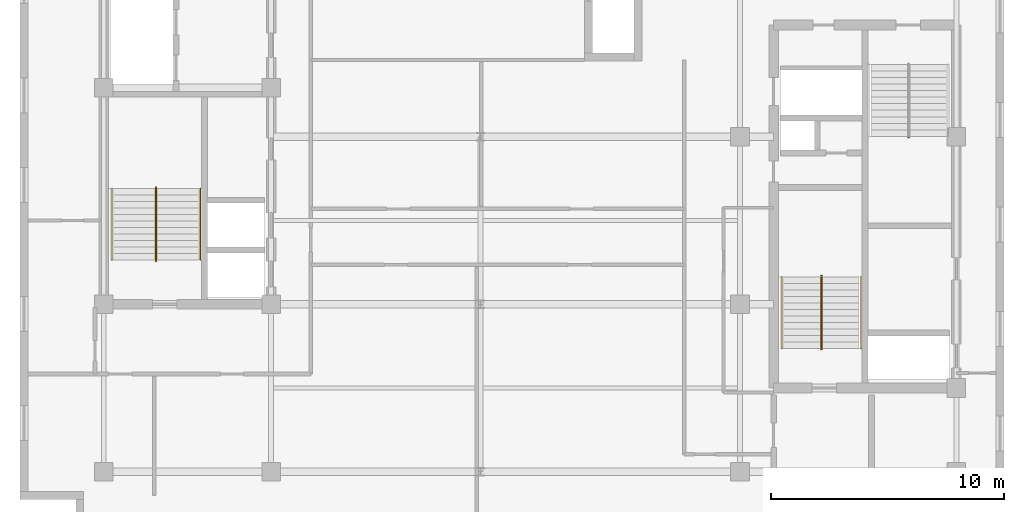
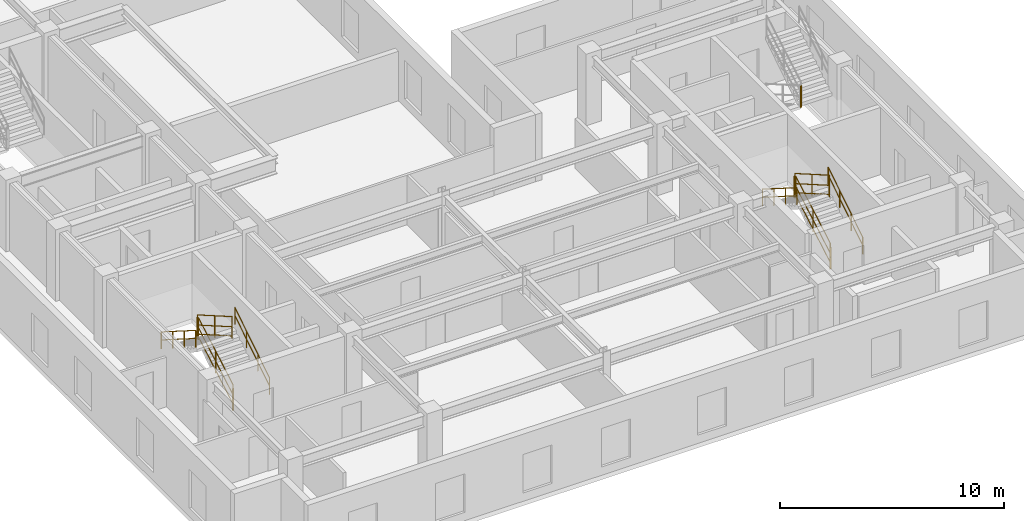
# One storey, part 7 of 9: 13 railings.
"""IFC4 building model written with IfcOpenShell, lengths in metres."""

from ifc_helpers import new_model, entity, si_unit, converted_unit, direction, frame, origin_with_axes, origin_2d_with_axis, place, context, subcontext, project, spatial, rectangle, circle, extrude, material, type_object, element, save


model = new_model("IFC4")

# Units and contexts
model_context = context("Model", 3, precision=1e-05, world=origin_with_axes(), true_north=direction((0.0, 1.0)))
body_context = subcontext(model_context, "Body", "Model", "MODEL_VIEW")
ifc_project = project(units=[si_unit("LENGTHUNIT", "METRE"), si_unit("AREAUNIT", "SQUARE_METRE"), si_unit("VOLUMEUNIT", "CUBIC_METRE"), converted_unit("PLANEANGLEUNIT", "DEGREE", entity("IfcPlaneAngleMeasure", 0.017453292519943295), si_unit("PLANEANGLEUNIT", "RADIAN"), dimensions=[0, 0, 0, 0, 0, 0, 0]), si_unit("MASSUNIT", "GRAM", prefix="KILO"), si_unit("THERMODYNAMICTEMPERATUREUNIT", "KELVIN")], contexts=[model_context])

# Site, building, storey
site_placement = place(None, origin_with_axes())
site = spatial("IfcSite", under=ifc_project, at=site_placement, CompositionType="ELEMENT")
building_placement = place(site_placement, origin_with_axes())
building = spatial("IfcBuilding", under=site, at=building_placement, Name="Varnlund Millrace Tower", CompositionType="ELEMENT")
storey_placement = place(building_placement, frame((0.0, 0.0, 260.7), z_axis=(0.0, 0.0, 1.0), x_axis=(1.0, 0.0, 0.0)))
storey = spatial("IfcBuildingStorey", under=building, at=storey_placement, Name="L64", CompositionType="ELEMENT", Elevation=260.7)

# Railings
ifc_material_1 = material(Name="Painted steel stair well balustrade guard", Category="steel")
railing_type_1 = type_object("IfcRailingType", Name="Type-StairGuard-1150", PredefinedType="GUARDRAIL", material=ifc_material_1)
railing_1_placement = place(storey_placement, frame((0.0, 0.0, -260.7), z_axis=(0.0, 0.0, 1.0), x_axis=(1.0, 0.0, 0.0)))
element("IfcRailing", 1, at=railing_1_placement, inside=storey, type_object=railing_type_1, Name="Type-StairGuard-1150", PredefinedType="GUARDRAIL", context=body_context, shape_type="SweptSolid", body=[
    extrude(circle(Radius=0.024, at=origin_2d_with_axis()), frame((13.675, 12.7, 262.027273), z_axis=(0.0, 0.866696, 0.498836), x_axis=(-1.0, 0.0, 0.0)), (0.0, 0.0, 1.0), 3.553725),
    extrude(circle(Radius=0.024, at=origin_2d_with_axis()), frame((13.675, 12.7, 260.977273), z_axis=(0.0, 0.866696, 0.498836), x_axis=(-1.0, 0.0, 0.0)), (0.0, 0.0, 1.0), 3.553725),
    extrude(circle(Radius=0.024, at=origin_2d_with_axis()), frame((13.675, 12.7, 261.475273), z_axis=(0.0, 0.866696, 0.498836), x_axis=(-1.0, 0.0, 0.0)), (0.0, 0.0, 1.0), 3.553725),
    extrude(rectangle(XDim=0.04, YDim=0.04, at=origin_2d_with_axis()), frame((13.675, 12.7, 260.837273), z_axis=(0.0, 0.0, 1.0), x_axis=(1.0, 0.0, 0.0)), (0.0, 0.0, 1.0), 1.19),
    extrude(rectangle(XDim=0.04, YDim=0.04, at=origin_2d_with_axis()), frame((13.675, 14.24, 261.723636), z_axis=(0.0, 0.0, 1.0), x_axis=(1.0, 0.0, 0.0)), (0.0, 0.0, 1.0), 1.19),
    extrude(rectangle(XDim=0.04, YDim=0.04, at=origin_2d_with_axis()), frame((13.675, 15.78, 262.61), z_axis=(0.0, 0.0, 1.0), x_axis=(1.0, 0.0, 0.0)), (0.0, 0.0, 1.0), 1.19),
])
railing_2_placement = place(storey_placement, frame((0.0, 0.0, -260.7), z_axis=(0.0, 0.0, 1.0), x_axis=(1.0, 0.0, 0.0)))
element("IfcRailing", 2, at=railing_2_placement, inside=storey, type_object=railing_type_1, Name="Type-StairGuard-1150", PredefinedType="GUARDRAIL", context=body_context, shape_type="SweptSolid", body=[
    extrude(circle(Radius=0.024, at=origin_2d_with_axis()), frame((13.625, 15.83, 263.8), z_axis=(1.0, 0.0, 0.0), x_axis=(0.0, 1.0, 0.0)), (0.0, 0.0, 1.0), 0.05),
    extrude(circle(Radius=0.024, at=origin_2d_with_axis()), frame((13.625, 15.83, 262.75), z_axis=(1.0, 0.0, 0.0), x_axis=(0.0, 1.0, 0.0)), (0.0, 0.0, 1.0), 0.05),
    extrude(circle(Radius=0.024, at=origin_2d_with_axis()), frame((13.625, 15.83, 263.248), z_axis=(1.0, 0.0, 0.0), x_axis=(0.0, 1.0, 0.0)), (0.0, 0.0, 1.0), 0.05),
    extrude(rectangle(XDim=0.04, YDim=0.04, at=origin_2d_with_axis()), frame((13.625, 15.83, 262.61), z_axis=(0.0, 0.0, 1.0), x_axis=(1.0, 0.0, 0.0)), (0.0, 0.0, 1.0), 1.19),
    extrude(rectangle(XDim=0.04, YDim=0.04, at=origin_2d_with_axis()), frame((13.675, 15.83, 262.61), z_axis=(0.0, 0.0, 1.0), x_axis=(1.0, 0.0, 0.0)), (0.0, 0.0, 1.0), 1.19),
])
railing_3_placement = place(storey_placement, frame((0.0, 0.0, -260.7), z_axis=(0.0, 0.0, 1.0), x_axis=(1.0, 0.0, 0.0)))
element("IfcRailing", 3, at=railing_3_placement, inside=storey, type_object=railing_type_1, Name="Type-StairGuard-1150", PredefinedType="GUARDRAIL", context=body_context, shape_type="SweptSolid", body=[
    extrude(circle(Radius=0.024, at=origin_2d_with_axis()), frame((13.625, 15.78, 263.977273), z_axis=(0.0, -0.866696, 0.498836), x_axis=(1.0, 0.0, 0.0)), (0.0, 0.0, 1.0), 3.553725),
    extrude(circle(Radius=0.024, at=origin_2d_with_axis()), frame((13.625, 15.78, 262.927273), z_axis=(0.0, -0.866696, 0.498836), x_axis=(1.0, 0.0, 0.0)), (0.0, 0.0, 1.0), 3.553725),
    extrude(circle(Radius=0.024, at=origin_2d_with_axis()), frame((13.625, 15.78, 263.425273), z_axis=(0.0, -0.866696, 0.498836), x_axis=(1.0, 0.0, 0.0)), (0.0, 0.0, 1.0), 3.553725),
    extrude(rectangle(XDim=0.04, YDim=0.04, at=origin_2d_with_axis()), frame((13.625, 15.78, 262.787273), z_axis=(0.0, 0.0, 1.0), x_axis=(1.0, 0.0, 0.0)), (0.0, 0.0, 1.0), 1.19),
    extrude(rectangle(XDim=0.04, YDim=0.04, at=origin_2d_with_axis()), frame((13.625, 14.24, 263.673636), z_axis=(0.0, 0.0, 1.0), x_axis=(1.0, 0.0, 0.0)), (0.0, 0.0, 1.0), 1.19),
    extrude(rectangle(XDim=0.04, YDim=0.04, at=origin_2d_with_axis()), frame((13.625, 12.7, 264.56), z_axis=(0.0, 0.0, 1.0), x_axis=(1.0, 0.0, 0.0)), (0.0, 0.0, 1.0), 1.19),
])
railing_4_placement = place(storey_placement, frame((0.0, 0.0, -260.7), z_axis=(0.0, 0.0, 1.0), x_axis=(1.0, 0.0, 0.0)))
element("IfcRailing", 4, at=railing_4_placement, inside=storey, type_object=railing_type_1, Name="Type-StairGuard-1150", PredefinedType="GUARDRAIL", context=body_context, shape_type="SweptSolid", body=[
    extrude(circle(Radius=0.024, at=origin_2d_with_axis()), frame((13.625, 12.65, 261.85), z_axis=(1.0, 0.0, 0.0), x_axis=(0.0, 1.0, 0.0)), (0.0, 0.0, 1.0), 0.05),
    extrude(circle(Radius=0.024, at=origin_2d_with_axis()), frame((13.625, 12.65, 260.8), z_axis=(1.0, 0.0, 0.0), x_axis=(0.0, 1.0, 0.0)), (0.0, 0.0, 1.0), 0.05),
    extrude(circle(Radius=0.024, at=origin_2d_with_axis()), frame((13.625, 12.65, 261.298), z_axis=(1.0, 0.0, 0.0), x_axis=(0.0, 1.0, 0.0)), (0.0, 0.0, 1.0), 0.05),
    extrude(rectangle(XDim=0.04, YDim=0.04, at=origin_2d_with_axis()), frame((13.625, 12.65, 260.66), z_axis=(0.0, 0.0, 1.0), x_axis=(1.0, 0.0, 0.0)), (0.0, 0.0, 1.0), 1.19),
    extrude(rectangle(XDim=0.04, YDim=0.04, at=origin_2d_with_axis()), frame((13.675, 12.65, 260.66), z_axis=(0.0, 0.0, 1.0), x_axis=(1.0, 0.0, 0.0)), (0.0, 0.0, 1.0), 1.19),
])
railing_5_placement = place(storey_placement, frame((0.0, 0.0, -260.7), z_axis=(0.0, 0.0, 1.0), x_axis=(1.0, 0.0, 0.0)))
element("IfcRailing", 5, at=railing_5_placement, inside=storey, type_object=railing_type_1, Name="Type-StairGuard-1150", PredefinedType="GUARDRAIL", context=body_context, shape_type="SweptSolid", body=[
    extrude(circle(Radius=0.024, at=origin_2d_with_axis()), frame((42.275, 8.9, 262.027273), z_axis=(0.0, 0.866696, 0.498836), x_axis=(-1.0, 0.0, 0.0)), (0.0, 0.0, 1.0), 3.553725),
    extrude(circle(Radius=0.024, at=origin_2d_with_axis()), frame((42.275, 8.9, 260.977273), z_axis=(0.0, 0.866696, 0.498836), x_axis=(-1.0, 0.0, 0.0)), (0.0, 0.0, 1.0), 3.553725),
    extrude(circle(Radius=0.024, at=origin_2d_with_axis()), frame((42.275, 8.9, 261.475273), z_axis=(0.0, 0.866696, 0.498836), x_axis=(-1.0, 0.0, 0.0)), (0.0, 0.0, 1.0), 3.553725),
    extrude(rectangle(XDim=0.04, YDim=0.04, at=origin_2d_with_axis()), frame((42.275, 8.9, 260.837273), z_axis=(0.0, 0.0, 1.0), x_axis=(1.0, 0.0, 0.0)), (0.0, 0.0, 1.0), 1.19),
    extrude(rectangle(XDim=0.04, YDim=0.04, at=origin_2d_with_axis()), frame((42.275, 10.44, 261.723636), z_axis=(0.0, 0.0, 1.0), x_axis=(1.0, 0.0, 0.0)), (0.0, 0.0, 1.0), 1.19),
    extrude(rectangle(XDim=0.04, YDim=0.04, at=origin_2d_with_axis()), frame((42.275, 11.98, 262.61), z_axis=(0.0, 0.0, 1.0), x_axis=(1.0, 0.0, 0.0)), (0.0, 0.0, 1.0), 1.19),
])
railing_6_placement = place(storey_placement, frame((0.0, 0.0, -260.7), z_axis=(0.0, 0.0, 1.0), x_axis=(1.0, 0.0, 0.0)))
element("IfcRailing", 6, at=railing_6_placement, inside=storey, type_object=railing_type_1, Name="Type-StairGuard-1150", PredefinedType="GUARDRAIL", context=body_context, shape_type="SweptSolid", body=[
    extrude(circle(Radius=0.024, at=origin_2d_with_axis()), frame((42.225, 12.03, 263.8), z_axis=(1.0, 0.0, 0.0), x_axis=(0.0, 1.0, 0.0)), (0.0, 0.0, 1.0), 0.05),
    extrude(circle(Radius=0.024, at=origin_2d_with_axis()), frame((42.225, 12.03, 262.75), z_axis=(1.0, 0.0, 0.0), x_axis=(0.0, 1.0, 0.0)), (0.0, 0.0, 1.0), 0.05),
    extrude(circle(Radius=0.024, at=origin_2d_with_axis()), frame((42.225, 12.03, 263.248), z_axis=(1.0, 0.0, 0.0), x_axis=(0.0, 1.0, 0.0)), (0.0, 0.0, 1.0), 0.05),
    extrude(rectangle(XDim=0.04, YDim=0.04, at=origin_2d_with_axis()), frame((42.225, 12.03, 262.61), z_axis=(0.0, 0.0, 1.0), x_axis=(1.0, 0.0, 0.0)), (0.0, 0.0, 1.0), 1.19),
    extrude(rectangle(XDim=0.04, YDim=0.04, at=origin_2d_with_axis()), frame((42.275, 12.03, 262.61), z_axis=(0.0, 0.0, 1.0), x_axis=(1.0, 0.0, 0.0)), (0.0, 0.0, 1.0), 1.19),
])
railing_7_placement = place(storey_placement, frame((0.0, 0.0, -260.7), z_axis=(0.0, 0.0, 1.0), x_axis=(1.0, 0.0, 0.0)))
element("IfcRailing", 7, at=railing_7_placement, inside=storey, type_object=railing_type_1, Name="Type-StairGuard-1150", PredefinedType="GUARDRAIL", context=body_context, shape_type="SweptSolid", body=[
    extrude(circle(Radius=0.024, at=origin_2d_with_axis()), frame((42.225, 11.98, 263.977273), z_axis=(0.0, -0.866696, 0.498836), x_axis=(1.0, 0.0, 0.0)), (0.0, 0.0, 1.0), 3.553725),
    extrude(circle(Radius=0.024, at=origin_2d_with_axis()), frame((42.225, 11.98, 262.927273), z_axis=(0.0, -0.866696, 0.498836), x_axis=(1.0, 0.0, 0.0)), (0.0, 0.0, 1.0), 3.553725),
    extrude(circle(Radius=0.024, at=origin_2d_with_axis()), frame((42.225, 11.98, 263.425273), z_axis=(0.0, -0.866696, 0.498836), x_axis=(1.0, 0.0, 0.0)), (0.0, 0.0, 1.0), 3.553725),
    extrude(rectangle(XDim=0.04, YDim=0.04, at=origin_2d_with_axis()), frame((42.225, 11.98, 262.787273), z_axis=(0.0, 0.0, 1.0), x_axis=(1.0, 0.0, 0.0)), (0.0, 0.0, 1.0), 1.19),
    extrude(rectangle(XDim=0.04, YDim=0.04, at=origin_2d_with_axis()), frame((42.225, 10.44, 263.673636), z_axis=(0.0, 0.0, 1.0), x_axis=(1.0, 0.0, 0.0)), (0.0, 0.0, 1.0), 1.19),
    extrude(rectangle(XDim=0.04, YDim=0.04, at=origin_2d_with_axis()), frame((42.225, 8.9, 264.56), z_axis=(0.0, 0.0, 1.0), x_axis=(1.0, 0.0, 0.0)), (0.0, 0.0, 1.0), 1.19),
])
railing_8_placement = place(storey_placement, frame((0.0, 0.0, -260.7), z_axis=(0.0, 0.0, 1.0), x_axis=(1.0, 0.0, 0.0)))
element("IfcRailing", 8, at=railing_8_placement, inside=storey, type_object=railing_type_1, Name="Type-StairGuard-1150", PredefinedType="GUARDRAIL", context=body_context, shape_type="SweptSolid", body=[
    extrude(circle(Radius=0.024, at=origin_2d_with_axis()), frame((42.225, 8.85, 261.85), z_axis=(1.0, 0.0, 0.0), x_axis=(0.0, 1.0, 0.0)), (0.0, 0.0, 1.0), 0.05),
    extrude(circle(Radius=0.024, at=origin_2d_with_axis()), frame((42.225, 8.85, 260.8), z_axis=(1.0, 0.0, 0.0), x_axis=(0.0, 1.0, 0.0)), (0.0, 0.0, 1.0), 0.05),
    extrude(circle(Radius=0.024, at=origin_2d_with_axis()), frame((42.225, 8.85, 261.298), z_axis=(1.0, 0.0, 0.0), x_axis=(0.0, 1.0, 0.0)), (0.0, 0.0, 1.0), 0.05),
    extrude(rectangle(XDim=0.04, YDim=0.04, at=origin_2d_with_axis()), frame((42.225, 8.85, 260.66), z_axis=(0.0, 0.0, 1.0), x_axis=(1.0, 0.0, 0.0)), (0.0, 0.0, 1.0), 1.19),
    extrude(rectangle(XDim=0.04, YDim=0.04, at=origin_2d_with_axis()), frame((42.275, 8.85, 260.66), z_axis=(0.0, 0.0, 1.0), x_axis=(1.0, 0.0, 0.0)), (0.0, 0.0, 1.0), 1.19),
])
railing_9_placement = place(storey_placement, frame((0.0, 0.0, -260.7), z_axis=(0.0, 0.0, 1.0), x_axis=(1.0, 0.0, 0.0)))
element("IfcRailing", 9, at=railing_9_placement, inside=storey, type_object=railing_type_1, Name="Type-StairGuard-1150", PredefinedType="GUARDRAIL", context=body_context, shape_type="SweptSolid", body=[
    extrude(circle(Radius=0.024, at=origin_2d_with_axis()), frame((46.025, 17.97, 263.8), z_axis=(-1.0, 0.0, 0.0), x_axis=(0.0, -1.0, 0.0)), (0.0, 0.0, 1.0), 0.05),
    extrude(circle(Radius=0.024, at=origin_2d_with_axis()), frame((46.025, 17.97, 262.75), z_axis=(-1.0, 0.0, 0.0), x_axis=(0.0, -1.0, 0.0)), (0.0, 0.0, 1.0), 0.05),
    extrude(circle(Radius=0.024, at=origin_2d_with_axis()), frame((46.025, 17.97, 263.248), z_axis=(-1.0, 0.0, 0.0), x_axis=(0.0, -1.0, 0.0)), (0.0, 0.0, 1.0), 0.05),
    extrude(rectangle(XDim=0.04, YDim=0.04, at=origin_2d_with_axis()), frame((46.025, 17.97, 262.61), z_axis=(0.0, 0.0, 1.0), x_axis=(1.0, 0.0, 0.0)), (0.0, 0.0, 1.0), 1.19),
    extrude(rectangle(XDim=0.04, YDim=0.04, at=origin_2d_with_axis()), frame((45.975, 17.97, 262.61), z_axis=(0.0, 0.0, 1.0), x_axis=(1.0, 0.0, 0.0)), (0.0, 0.0, 1.0), 1.19),
])
ifc_material_2 = material(Name="Brushed architectural bronze stair handrail", Category="aluminium")
railing_type_2 = type_object("IfcRailingType", Name="Type-StairHandrail-900", PredefinedType="HANDRAIL", material=ifc_material_2)
railing_10_placement = place(storey_placement, frame((0.0, 0.0, -260.7), z_axis=(0.0, 0.0, 1.0), x_axis=(1.0, 0.0, 0.0)))
element("IfcRailing", 10, at=railing_10_placement, inside=storey, type_object=railing_type_2, Name="Type-StairHandrail-900", PredefinedType="HANDRAIL", context=body_context, shape_type="SweptSolid", body=[
    extrude(circle(Radius=0.024, at=origin_2d_with_axis()), frame((15.55, 12.7, 261.756995), z_axis=(0.0, 0.844902, 0.534922), x_axis=(-1.0, 0.0, 0.0)), (0.0, 0.0, 1.0), 3.645394),
    extrude(circle(Radius=0.024, at=origin_2d_with_axis()), frame((15.55, 12.7, 261.317134), z_axis=(0.0, 0.844902, 0.534922), x_axis=(-1.0, 0.0, 0.0)), (0.0, 0.0, 1.0), 3.645394),
    extrude(rectangle(XDim=0.04, YDim=0.04, at=origin_2d_with_axis()), frame((15.55, 12.7, 260.837273), z_axis=(0.0, 0.0, 1.0), x_axis=(1.0, 0.0, 0.0)), (0.0, 0.0, 1.0), 0.919722),
    extrude(rectangle(XDim=0.04, YDim=0.04, at=origin_2d_with_axis()), frame((15.55, 13.726667, 261.487273), z_axis=(0.0, 0.0, 1.0), x_axis=(1.0, 0.0, 0.0)), (0.0, 0.0, 1.0), 0.919722),
    extrude(rectangle(XDim=0.04, YDim=0.04, at=origin_2d_with_axis()), frame((15.55, 14.753333, 262.137273), z_axis=(0.0, 0.0, 1.0), x_axis=(1.0, 0.0, 0.0)), (0.0, 0.0, 1.0), 0.919722),
    extrude(rectangle(XDim=0.04, YDim=0.04, at=origin_2d_with_axis()), frame((15.55, 15.78, 262.787273), z_axis=(0.0, 0.0, 1.0), x_axis=(1.0, 0.0, 0.0)), (0.0, 0.0, 1.0), 0.919722),
])
railing_11_placement = place(storey_placement, frame((0.0, 0.0, -260.7), z_axis=(0.0, 0.0, 1.0), x_axis=(1.0, 0.0, 0.0)))
element("IfcRailing", 11, at=railing_11_placement, inside=storey, type_object=railing_type_2, Name="Type-StairHandrail-900", PredefinedType="HANDRAIL", context=body_context, shape_type="SweptSolid", body=[
    extrude(circle(Radius=0.024, at=origin_2d_with_axis()), frame((11.75, 15.78, 263.706995), z_axis=(0.0, -0.844902, 0.534922), x_axis=(1.0, 0.0, 0.0)), (0.0, 0.0, 1.0), 3.645394),
    extrude(circle(Radius=0.024, at=origin_2d_with_axis()), frame((11.75, 15.78, 263.267134), z_axis=(0.0, -0.844902, 0.534922), x_axis=(1.0, 0.0, 0.0)), (0.0, 0.0, 1.0), 3.645394),
    extrude(rectangle(XDim=0.04, YDim=0.04, at=origin_2d_with_axis()), frame((11.75, 15.78, 262.787273), z_axis=(0.0, 0.0, 1.0), x_axis=(1.0, 0.0, 0.0)), (0.0, 0.0, 1.0), 0.919722),
    extrude(rectangle(XDim=0.04, YDim=0.04, at=origin_2d_with_axis()), frame((11.75, 14.753333, 263.437273), z_axis=(0.0, 0.0, 1.0), x_axis=(1.0, 0.0, 0.0)), (0.0, 0.0, 1.0), 0.919722),
    extrude(rectangle(XDim=0.04, YDim=0.04, at=origin_2d_with_axis()), frame((11.75, 13.726667, 264.087273), z_axis=(0.0, 0.0, 1.0), x_axis=(1.0, 0.0, 0.0)), (0.0, 0.0, 1.0), 0.919722),
    extrude(rectangle(XDim=0.04, YDim=0.04, at=origin_2d_with_axis()), frame((11.75, 12.7, 264.737273), z_axis=(0.0, 0.0, 1.0), x_axis=(1.0, 0.0, 0.0)), (0.0, 0.0, 1.0), 0.919722),
])
railing_12_placement = place(storey_placement, frame((0.0, 0.0, -260.7), z_axis=(0.0, 0.0, 1.0), x_axis=(1.0, 0.0, 0.0)))
element("IfcRailing", 12, at=railing_12_placement, inside=storey, type_object=railing_type_2, Name="Type-StairHandrail-900", PredefinedType="HANDRAIL", context=body_context, shape_type="SweptSolid", body=[
    extrude(circle(Radius=0.024, at=origin_2d_with_axis()), frame((43.95, 8.9, 261.756995), z_axis=(0.0, 0.844902, 0.534922), x_axis=(-1.0, 0.0, 0.0)), (0.0, 0.0, 1.0), 3.645394),
    extrude(circle(Radius=0.024, at=origin_2d_with_axis()), frame((43.95, 8.9, 261.317134), z_axis=(0.0, 0.844902, 0.534922), x_axis=(-1.0, 0.0, 0.0)), (0.0, 0.0, 1.0), 3.645394),
    extrude(rectangle(XDim=0.04, YDim=0.04, at=origin_2d_with_axis()), frame((43.95, 8.9, 260.837273), z_axis=(0.0, 0.0, 1.0), x_axis=(1.0, 0.0, 0.0)), (0.0, 0.0, 1.0), 0.919722),
    extrude(rectangle(XDim=0.04, YDim=0.04, at=origin_2d_with_axis()), frame((43.95, 9.926667, 261.487273), z_axis=(0.0, 0.0, 1.0), x_axis=(1.0, 0.0, 0.0)), (0.0, 0.0, 1.0), 0.919722),
    extrude(rectangle(XDim=0.04, YDim=0.04, at=origin_2d_with_axis()), frame((43.95, 10.953333, 262.137273), z_axis=(0.0, 0.0, 1.0), x_axis=(1.0, 0.0, 0.0)), (0.0, 0.0, 1.0), 0.919722),
    extrude(rectangle(XDim=0.04, YDim=0.04, at=origin_2d_with_axis()), frame((43.95, 11.98, 262.787273), z_axis=(0.0, 0.0, 1.0), x_axis=(1.0, 0.0, 0.0)), (0.0, 0.0, 1.0), 0.919722),
])
railing_13_placement = place(storey_placement, frame((0.0, 0.0, -260.7), z_axis=(0.0, 0.0, 1.0), x_axis=(1.0, 0.0, 0.0)))
element("IfcRailing", 13, at=railing_13_placement, inside=storey, type_object=railing_type_2, Name="Type-StairHandrail-900", PredefinedType="HANDRAIL", context=body_context, shape_type="SweptSolid", body=[
    extrude(circle(Radius=0.024, at=origin_2d_with_axis()), frame((40.55, 11.98, 263.706995), z_axis=(0.0, -0.844902, 0.534922), x_axis=(1.0, 0.0, 0.0)), (0.0, 0.0, 1.0), 3.645394),
    extrude(circle(Radius=0.024, at=origin_2d_with_axis()), frame((40.55, 11.98, 263.267134), z_axis=(0.0, -0.844902, 0.534922), x_axis=(1.0, 0.0, 0.0)), (0.0, 0.0, 1.0), 3.645394),
    extrude(rectangle(XDim=0.04, YDim=0.04, at=origin_2d_with_axis()), frame((40.55, 11.98, 262.787273), z_axis=(0.0, 0.0, 1.0), x_axis=(1.0, 0.0, 0.0)), (0.0, 0.0, 1.0), 0.919722),
    extrude(rectangle(XDim=0.04, YDim=0.04, at=origin_2d_with_axis()), frame((40.55, 10.953333, 263.437273), z_axis=(0.0, 0.0, 1.0), x_axis=(1.0, 0.0, 0.0)), (0.0, 0.0, 1.0), 0.919722),
    extrude(rectangle(XDim=0.04, YDim=0.04, at=origin_2d_with_axis()), frame((40.55, 9.926667, 264.087273), z_axis=(0.0, 0.0, 1.0), x_axis=(1.0, 0.0, 0.0)), (0.0, 0.0, 1.0), 0.919722),
    extrude(rectangle(XDim=0.04, YDim=0.04, at=origin_2d_with_axis()), frame((40.55, 8.9, 264.737273), z_axis=(0.0, 0.0, 1.0), x_axis=(1.0, 0.0, 0.0)), (0.0, 0.0, 1.0), 0.919722),
])

save(model, "model.ifc")
